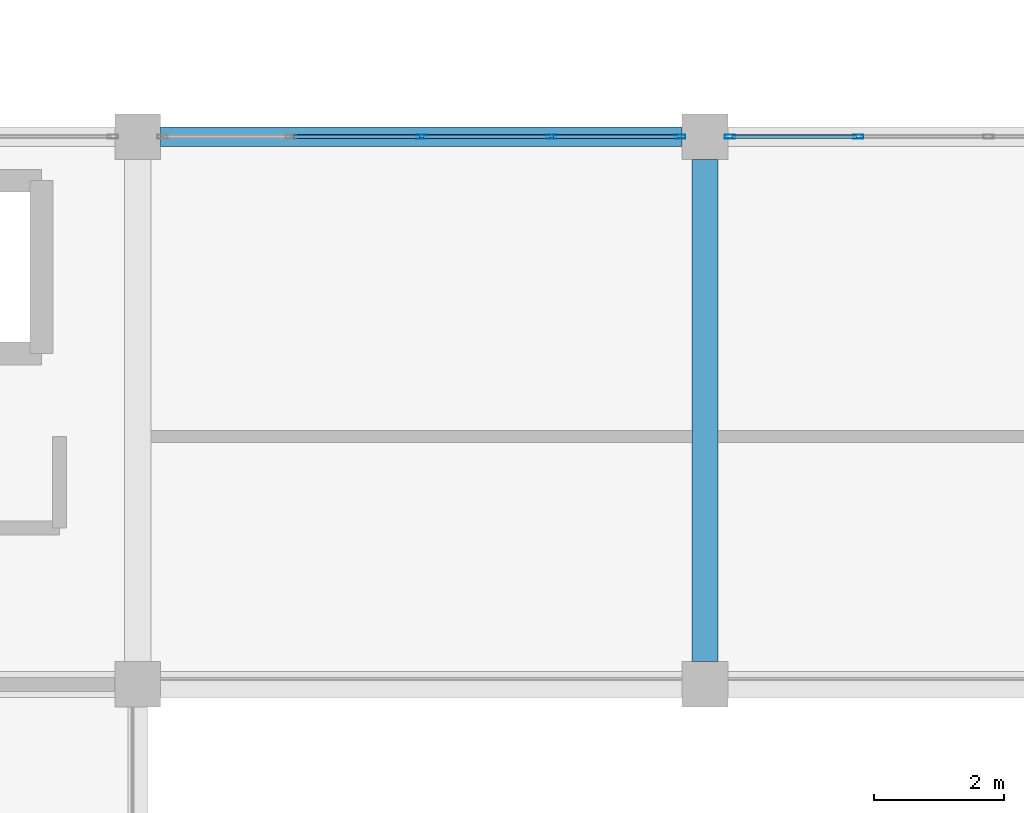
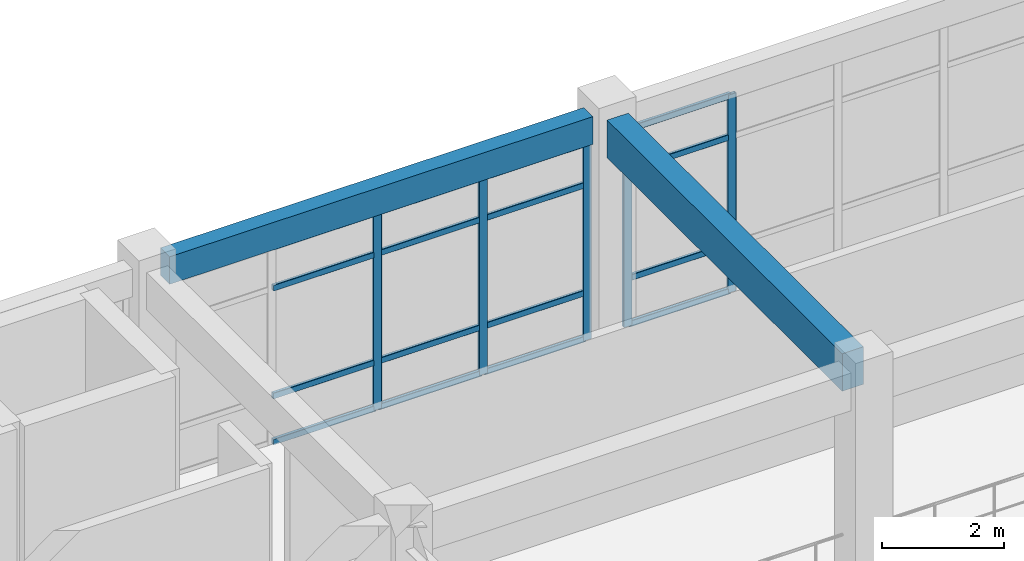
# One storey, part 34 of 76: 21 members, 2 beams, 2 elements without a shape of their own.
"""IFC4 building model written with IfcOpenShell, lengths in metres."""

from ifc_helpers import new_model, si_unit, derived_unit, direction, frame, origin, origin_2d, place, context, subcontext, project, spatial, rectangle, hollow_rectangle, extrude, material, layer, layer_set, material_profile, profile_set, type_object, element, aggregate, save


model = new_model("IFC4")

# Units and contexts
model_context = context("Model", 3, precision=1e-05, world=origin(), true_north=direction((0.0, 1.0)))
body_context = subcontext(model_context, "Body", "Model", "MODEL_VIEW")
ifc_project = project(units=[si_unit("LENGTHUNIT", "METRE"), si_unit("AREAUNIT", "SQUARE_METRE"), si_unit("VOLUMEUNIT", "CUBIC_METRE"), si_unit("PLANEANGLEUNIT", "RADIAN"), si_unit("MASSUNIT", "GRAM", prefix="KILO"), derived_unit("THERMALTRANSMITTANCEUNIT", [(si_unit("MASSUNIT", "GRAM", prefix="KILO"), 1), (si_unit("TIMEUNIT", "SECOND"), -3), (si_unit("THERMODYNAMICTEMPERATUREUNIT", "KELVIN"), -1)])], contexts=[model_context])

# Site, building, storey
site_placement = place(None, origin())
site = spatial("IfcSite", under=ifc_project, at=site_placement, CompositionType="ELEMENT")
building_placement = place(site_placement, origin())
building = spatial("IfcBuilding", under=site, at=building_placement, Name="Qinzheling Arcade Emporium", CompositionType="ELEMENT")
storey_placement = place(building_placement, frame((0.0, 0.0, 26.699951171875)))
storey = spatial("IfcBuildingStorey", under=building, at=storey_placement, Name="L06", CompositionType="ELEMENT", Elevation=26.699951171875)

# Curtain wall, members
ifc_material_1 = material(Name="Anodised aluminium and solar-control double glazing", Category="aluminium")
ifc_layer = layer(ifc_material_1, 0.159912109375, Name="Anodised aluminium and solar-control double glazing", Category="aluminium")
ifc_layer_set = layer_set([ifc_layer], Name="Anodised aluminium and solar-control double glazing")
curtain_wall_type = type_object("IfcCurtainWallType", Name="Atrium Clerestory Curtain Wall", PredefinedType="NOTDEFINED", material=ifc_layer_set)
curtain_wall_1_placement = place(storey_placement, origin())
curtain_wall_1 = element("IfcCurtainWall", 1, at=curtain_wall_1_placement, inside=storey, type_object=curtain_wall_type, Name="Curtain Wall CW-L06-367", PredefinedType="NOTDEFINED")
ifc_material_2 = material(Name="Anodised aluminium 6063-T6", Category="aluminium")
ifc_material_profile_1 = material_profile(ifc_material_2, hollow_rectangle(XDim=0.06005859375, YDim=0.159912109375, WallThickness=0.00390625, InnerFilletRadius=0.00390625, OuterFilletRadius=0.008056640625, at=origin_2d()), Name="RHS 160x60x4", Category="aluminium")
ifc_profile_set_1 = profile_set([ifc_material_profile_1], Name="Anodised aluminium 6063-T6")
member_type_1 = type_object("IfcMemberType", Name="Curtain Wall Mullion RHS160x60", PredefinedType="MULLION", material=ifc_profile_set_1)
member_1_placement = place(storey_placement, frame((56.550048828125, 73.800048828125, 0.0), z_axis=(0.0, 0.0, 1.0), x_axis=(0.0, 1.0, 0.0)))
member_1 = element("IfcMember", 2, at=member_1_placement, type_object=member_type_1, Name="CW03 mullion 3", PredefinedType="MULLION", context=body_context, shape_type="SweptSolid", body=[
    extrude(hollow_rectangle(XDim=0.06005859375, YDim=0.159912109375, WallThickness=0.00390625, InnerFilletRadius=0.00390625, OuterFilletRadius=0.008056640625, at=origin_2d()), origin(), (0.0, 0.0, 1.0), 3.955078125),
])
member_2_placement = place(storey_placement, frame((58.549072265625, 73.800048828125, 0.0), z_axis=(0.0, 0.0, 1.0), x_axis=(0.0, 1.0, 0.0)))
member_2 = element("IfcMember", 3, at=member_2_placement, type_object=member_type_1, Name="CW03 mullion 4", PredefinedType="MULLION", context=body_context, shape_type="SweptSolid", body=[
    extrude(hollow_rectangle(XDim=0.06005859375, YDim=0.159912109375, WallThickness=0.00390625, InnerFilletRadius=0.00390625, OuterFilletRadius=0.008056640625, at=origin_2d()), origin(), (0.0, 0.0, 1.0), 3.955078125),
])
member_3_placement = place(storey_placement, frame((60.51806640625, 73.800048828125, 0.0), z_axis=(0.0, 0.0, 1.0), x_axis=(0.0, 1.0, 0.0)))
member_3 = element("IfcMember", 4, at=member_3_placement, type_object=member_type_1, Name="CW03 mullion 5", PredefinedType="MULLION", context=body_context, shape_type="SweptSolid", body=[
    extrude(hollow_rectangle(XDim=0.06005859375, YDim=0.159912109375, WallThickness=0.00390625, InnerFilletRadius=0.00390625, OuterFilletRadius=0.008056640625, at=origin_2d()), origin(), (0.0, 0.0, 1.0), 3.955078125),
])

curtain_wall_2_placement = place(storey_placement, origin())
curtain_wall_2 = element("IfcCurtainWall", 5, at=curtain_wall_2_placement, inside=storey, type_object=curtain_wall_type, Name="Curtain Wall CW-L06-368", PredefinedType="NOTDEFINED")
member_4_placement = place(storey_placement, frame((61.281982421875, 73.800048828125, 0.0), z_axis=(0.0, 0.0, 1.0), x_axis=(0.0, 1.0, 0.0)))
member_4 = element("IfcMember", 6, at=member_4_placement, type_object=member_type_1, Name="CW03 mullion 1", PredefinedType="MULLION", context=body_context, shape_type="SweptSolid", body=[
    extrude(hollow_rectangle(XDim=0.06005859375, YDim=0.159912109375, WallThickness=0.00390625, InnerFilletRadius=0.00390625, OuterFilletRadius=0.008056640625, at=origin_2d()), origin(), (0.0, 0.0, 1.0), 3.955078125),
])
member_5_placement = place(storey_placement, frame((63.2509765625, 73.800048828125, 0.0), z_axis=(0.0, 0.0, 1.0), x_axis=(0.0, 1.0, 0.0)))
member_5 = element("IfcMember", 7, at=member_5_placement, type_object=member_type_1, Name="CW03 mullion 2", PredefinedType="MULLION", context=body_context, shape_type="SweptSolid", body=[
    extrude(hollow_rectangle(XDim=0.06005859375, YDim=0.159912109375, WallThickness=0.00390625, InnerFilletRadius=0.00390625, OuterFilletRadius=0.008056640625, at=origin_2d()), origin(), (0.0, 0.0, 1.0), 3.955078125),
])

# Member
ifc_material_profile_2 = material_profile(ifc_material_2, hollow_rectangle(XDim=0.06005859375, YDim=0.1201171875, WallThickness=0.00390625, InnerFilletRadius=0.00390625, OuterFilletRadius=0.008056640625, at=origin_2d()), Name="RHS 120x60x4", Category="aluminium")
ifc_profile_set_2 = profile_set([ifc_material_profile_2], Name="Anodised aluminium 6063-T6")
member_type_2 = type_object("IfcMemberType", Name="Curtain Wall Transom RHS120x60", PredefinedType="USERDEFINED", material=ifc_profile_set_2)
member_6_placement = place(storey_placement, frame((54.5810546875, 73.800048828125, 0.030029296875), z_axis=(1.0, 0.0, 0.0), x_axis=(0.0, 1.0, 0.0)))
member_6 = element("IfcMember", 8, at=member_6_placement, type_object=member_type_2, Name="CW03 transom 2.1", ObjectType="TRANSOM", PredefinedType="USERDEFINED", context=body_context, shape_type="SweptSolid", body=[
    extrude(hollow_rectangle(XDim=0.06005859375, YDim=0.1201171875, WallThickness=0.00390625, InnerFilletRadius=0.00390625, OuterFilletRadius=0.008056640625, at=origin_2d()), origin(), (0.0, 0.0, 1.0), 1.93896484375),
])

member_7_placement = place(storey_placement, frame((54.5810546875, 73.800048828125, 0.949951171875), z_axis=(1.0, 0.0, 0.0), x_axis=(0.0, 1.0, 0.0)))
member_7 = element("IfcMember", 9, at=member_7_placement, type_object=member_type_2, Name="CW03 transom 2.2", ObjectType="TRANSOM", PredefinedType="USERDEFINED", context=body_context, shape_type="SweptSolid", body=[
    extrude(hollow_rectangle(XDim=0.06005859375, YDim=0.1201171875, WallThickness=0.00390625, InnerFilletRadius=0.00390625, OuterFilletRadius=0.008056640625, at=origin_2d()), origin(), (0.0, 0.0, 1.0), 1.93896484375),
])

member_8_placement = place(storey_placement, frame((54.5810546875, 73.800048828125, 3.10498046875), z_axis=(1.0, 0.0, 0.0), x_axis=(0.0, 1.0, 0.0)))
member_8 = element("IfcMember", 10, at=member_8_placement, type_object=member_type_2, Name="CW03 transom 2.3", ObjectType="TRANSOM", PredefinedType="USERDEFINED", context=body_context, shape_type="SweptSolid", body=[
    extrude(hollow_rectangle(XDim=0.06005859375, YDim=0.1201171875, WallThickness=0.00390625, InnerFilletRadius=0.00390625, OuterFilletRadius=0.008056640625, at=origin_2d()), origin(), (0.0, 0.0, 1.0), 1.93896484375),
])

member_9_placement = place(storey_placement, frame((54.5810546875, 73.800048828125, 3.925048828125), z_axis=(1.0, 0.0, 0.0), x_axis=(0.0, 1.0, 0.0)))
member_9 = element("IfcMember", 11, at=member_9_placement, type_object=member_type_2, Name="CW03 transom 2.4", ObjectType="TRANSOM", PredefinedType="USERDEFINED", context=body_context, shape_type="SweptSolid", body=[
    extrude(hollow_rectangle(XDim=0.06005859375, YDim=0.1201171875, WallThickness=0.00390625, InnerFilletRadius=0.00390625, OuterFilletRadius=0.008056640625, at=origin_2d()), origin(), (0.0, 0.0, 1.0), 1.93896484375),
])

member_10_placement = place(storey_placement, frame((56.580078125, 73.800048828125, 0.030029296875), z_axis=(1.0, 0.0, 0.0), x_axis=(0.0, 1.0, 0.0)))
member_10 = element("IfcMember", 12, at=member_10_placement, type_object=member_type_2, Name="CW03 transom 3.1", ObjectType="TRANSOM", PredefinedType="USERDEFINED", context=body_context, shape_type="SweptSolid", body=[
    extrude(hollow_rectangle(XDim=0.06005859375, YDim=0.1201171875, WallThickness=0.00390625, InnerFilletRadius=0.00390625, OuterFilletRadius=0.008056640625, at=origin_2d()), origin(), (0.0, 0.0, 1.0), 1.93896484375),
])

member_11_placement = place(storey_placement, frame((56.580078125, 73.800048828125, 0.949951171875), z_axis=(1.0, 0.0, 0.0), x_axis=(0.0, 1.0, 0.0)))
member_11 = element("IfcMember", 13, at=member_11_placement, type_object=member_type_2, Name="CW03 transom 3.2", ObjectType="TRANSOM", PredefinedType="USERDEFINED", context=body_context, shape_type="SweptSolid", body=[
    extrude(hollow_rectangle(XDim=0.06005859375, YDim=0.1201171875, WallThickness=0.00390625, InnerFilletRadius=0.00390625, OuterFilletRadius=0.008056640625, at=origin_2d()), origin(), (0.0, 0.0, 1.0), 1.93896484375),
])

member_12_placement = place(storey_placement, frame((56.580078125, 73.800048828125, 3.10498046875), z_axis=(1.0, 0.0, 0.0), x_axis=(0.0, 1.0, 0.0)))
member_12 = element("IfcMember", 14, at=member_12_placement, type_object=member_type_2, Name="CW03 transom 3.3", ObjectType="TRANSOM", PredefinedType="USERDEFINED", context=body_context, shape_type="SweptSolid", body=[
    extrude(hollow_rectangle(XDim=0.06005859375, YDim=0.1201171875, WallThickness=0.00390625, InnerFilletRadius=0.00390625, OuterFilletRadius=0.008056640625, at=origin_2d()), origin(), (0.0, 0.0, 1.0), 1.93896484375),
])

member_13_placement = place(storey_placement, frame((56.580078125, 73.800048828125, 3.925048828125), z_axis=(1.0, 0.0, 0.0), x_axis=(0.0, 1.0, 0.0)))
member_13 = element("IfcMember", 15, at=member_13_placement, type_object=member_type_2, Name="CW03 transom 3.4", ObjectType="TRANSOM", PredefinedType="USERDEFINED", context=body_context, shape_type="SweptSolid", body=[
    extrude(hollow_rectangle(XDim=0.06005859375, YDim=0.1201171875, WallThickness=0.00390625, InnerFilletRadius=0.00390625, OuterFilletRadius=0.008056640625, at=origin_2d()), origin(), (0.0, 0.0, 1.0), 1.93896484375),
])

member_14_placement = place(storey_placement, frame((58.5791015625, 73.800048828125, 0.030029296875), z_axis=(1.0, 0.0, 0.0), x_axis=(0.0, 1.0, 0.0)))
member_14 = element("IfcMember", 16, at=member_14_placement, type_object=member_type_2, Name="CW03 transom 4.1", ObjectType="TRANSOM", PredefinedType="USERDEFINED", context=body_context, shape_type="SweptSolid", body=[
    extrude(hollow_rectangle(XDim=0.06005859375, YDim=0.1201171875, WallThickness=0.00390625, InnerFilletRadius=0.00390625, OuterFilletRadius=0.008056640625, at=origin_2d()), origin(), (0.0, 0.0, 1.0), 1.908935546875),
])

member_15_placement = place(storey_placement, frame((58.5791015625, 73.800048828125, 0.949951171875), z_axis=(1.0, 0.0, 0.0), x_axis=(0.0, 1.0, 0.0)))
member_15 = element("IfcMember", 17, at=member_15_placement, type_object=member_type_2, Name="CW03 transom 4.2", ObjectType="TRANSOM", PredefinedType="USERDEFINED", context=body_context, shape_type="SweptSolid", body=[
    extrude(hollow_rectangle(XDim=0.06005859375, YDim=0.1201171875, WallThickness=0.00390625, InnerFilletRadius=0.00390625, OuterFilletRadius=0.008056640625, at=origin_2d()), origin(), (0.0, 0.0, 1.0), 1.908935546875),
])

member_16_placement = place(storey_placement, frame((58.5791015625, 73.800048828125, 3.10498046875), z_axis=(1.0, 0.0, 0.0), x_axis=(0.0, 1.0, 0.0)))
member_16 = element("IfcMember", 18, at=member_16_placement, type_object=member_type_2, Name="CW03 transom 4.3", ObjectType="TRANSOM", PredefinedType="USERDEFINED", context=body_context, shape_type="SweptSolid", body=[
    extrude(hollow_rectangle(XDim=0.06005859375, YDim=0.1201171875, WallThickness=0.00390625, InnerFilletRadius=0.00390625, OuterFilletRadius=0.008056640625, at=origin_2d()), origin(), (0.0, 0.0, 1.0), 1.908935546875),
])

member_17_placement = place(storey_placement, frame((58.5791015625, 73.800048828125, 3.925048828125), z_axis=(1.0, 0.0, 0.0), x_axis=(0.0, 1.0, 0.0)))
member_17 = element("IfcMember", 19, at=member_17_placement, type_object=member_type_2, Name="CW03 transom 4.4", ObjectType="TRANSOM", PredefinedType="USERDEFINED", context=body_context, shape_type="SweptSolid", body=[
    extrude(hollow_rectangle(XDim=0.06005859375, YDim=0.1201171875, WallThickness=0.00390625, InnerFilletRadius=0.00390625, OuterFilletRadius=0.008056640625, at=origin_2d()), origin(), (0.0, 0.0, 1.0), 1.908935546875),
])

aggregate(curtain_wall_1, [member_1, member_2, member_3, member_6, member_7, member_8, member_9, member_10, member_11, member_12, member_13, member_14, member_15, member_16, member_17])

member_18_placement = place(storey_placement, frame((61.31201171875, 73.800048828125, 0.030029296875), z_axis=(1.0, 0.0, 0.0), x_axis=(0.0, 1.0, 0.0)))
member_18 = element("IfcMember", 20, at=member_18_placement, type_object=member_type_2, Name="CW03 transom 1.1", ObjectType="TRANSOM", PredefinedType="USERDEFINED", context=body_context, shape_type="SweptSolid", body=[
    extrude(hollow_rectangle(XDim=0.06005859375, YDim=0.1201171875, WallThickness=0.00390625, InnerFilletRadius=0.00390625, OuterFilletRadius=0.008056640625, at=origin_2d()), origin(), (0.0, 0.0, 1.0), 1.908935546875),
])

member_19_placement = place(storey_placement, frame((61.31201171875, 73.800048828125, 0.949951171875), z_axis=(1.0, 0.0, 0.0), x_axis=(0.0, 1.0, 0.0)))
member_19 = element("IfcMember", 21, at=member_19_placement, type_object=member_type_2, Name="CW03 transom 1.2", ObjectType="TRANSOM", PredefinedType="USERDEFINED", context=body_context, shape_type="SweptSolid", body=[
    extrude(hollow_rectangle(XDim=0.06005859375, YDim=0.1201171875, WallThickness=0.00390625, InnerFilletRadius=0.00390625, OuterFilletRadius=0.008056640625, at=origin_2d()), origin(), (0.0, 0.0, 1.0), 1.908935546875),
])

member_20_placement = place(storey_placement, frame((61.31201171875, 73.800048828125, 3.10498046875), z_axis=(1.0, 0.0, 0.0), x_axis=(0.0, 1.0, 0.0)))
member_20 = element("IfcMember", 22, at=member_20_placement, type_object=member_type_2, Name="CW03 transom 1.3", ObjectType="TRANSOM", PredefinedType="USERDEFINED", context=body_context, shape_type="SweptSolid", body=[
    extrude(hollow_rectangle(XDim=0.06005859375, YDim=0.1201171875, WallThickness=0.00390625, InnerFilletRadius=0.00390625, OuterFilletRadius=0.008056640625, at=origin_2d()), origin(), (0.0, 0.0, 1.0), 1.908935546875),
])

member_21_placement = place(storey_placement, frame((61.31201171875, 73.800048828125, 3.925048828125), z_axis=(1.0, 0.0, 0.0), x_axis=(0.0, 1.0, 0.0)))
member_21 = element("IfcMember", 23, at=member_21_placement, type_object=member_type_2, Name="CW03 transom 1.4", ObjectType="TRANSOM", PredefinedType="USERDEFINED", context=body_context, shape_type="SweptSolid", body=[
    extrude(hollow_rectangle(XDim=0.06005859375, YDim=0.1201171875, WallThickness=0.00390625, InnerFilletRadius=0.00390625, OuterFilletRadius=0.008056640625, at=origin_2d()), origin(), (0.0, 0.0, 1.0), 1.908935546875),
])

aggregate(curtain_wall_2, [member_4, member_5, member_18, member_19, member_20, member_21])

# Beams
ifc_material_3 = material(Name="Concrete C40", Category="concrete")
ifc_material_profile_3 = material_profile(ifc_material_3, rectangle(XDim=0.39990234375, YDim=0.75, at=origin_2d()), Name="RC 400x750", Category="concrete")
ifc_profile_set_3 = profile_set([ifc_material_profile_3], Name="Concrete C40")
beam_type_1 = type_object("IfcBeamType", Name="RC Interior Tie Beam 400x750 C40", PredefinedType="BEAM", material=ifc_profile_set_3)
beam_1_placement = place(storey_placement, frame((60.89990234375, 65.75, 4.14501953125), z_axis=(0.0, 1.0, 0.0), x_axis=(-1.0, 0.0, 0.0)))
element("IfcBeam", 24, at=beam_1_placement, inside=storey, type_object=beam_type_1, Name="Beam BM-L06-Y-8-H", PredefinedType="BEAM", context=body_context, shape_type="SweptSolid", body=[
    extrude(rectangle(XDim=0.39990234375, YDim=0.75, at=origin_2d()), origin(), (0.0, 0.0, 1.0), 7.699951171875),
])
ifc_material_profile_4 = material_profile(ifc_material_3, rectangle(XDim=0.300048828125, YDim=0.550048828125, at=origin_2d()), Name="RC 300x550", Category="concrete")
ifc_profile_set_4 = profile_set([ifc_material_profile_4], Name="Concrete C40")
beam_type_2 = type_object("IfcBeamType", Name="RC Terrace Spandrel Beam 300x550 C40", PredefinedType="SPANDREL", material=ifc_profile_set_4)
beam_2_placement = place(storey_placement, frame((52.550048828125, 73.800048828125, 4.2451171875), z_axis=(1.0, 0.0, 0.0), x_axis=(0.0, 1.0, 0.0)))
element("IfcBeam", 25, at=beam_2_placement, inside=storey, type_object=beam_type_2, Name="Beam BM-L06-X-J-7", PredefinedType="SPANDREL", context=body_context, shape_type="SweptSolid", body=[
    extrude(rectangle(XDim=0.300048828125, YDim=0.550048828125, at=origin_2d()), origin(), (0.0, 0.0, 1.0), 8.0),
])

save(model, "model.ifc")
